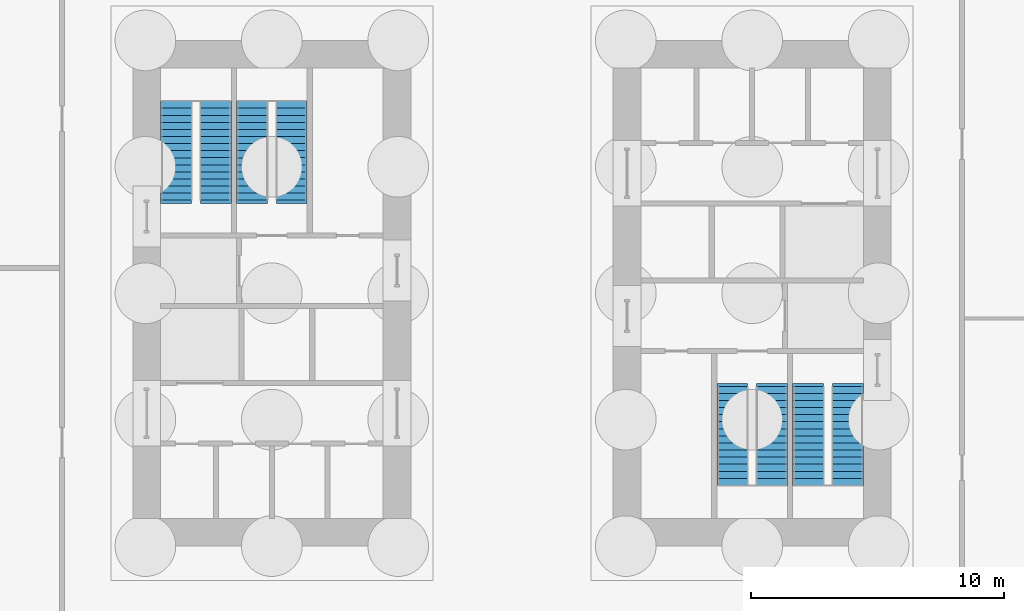
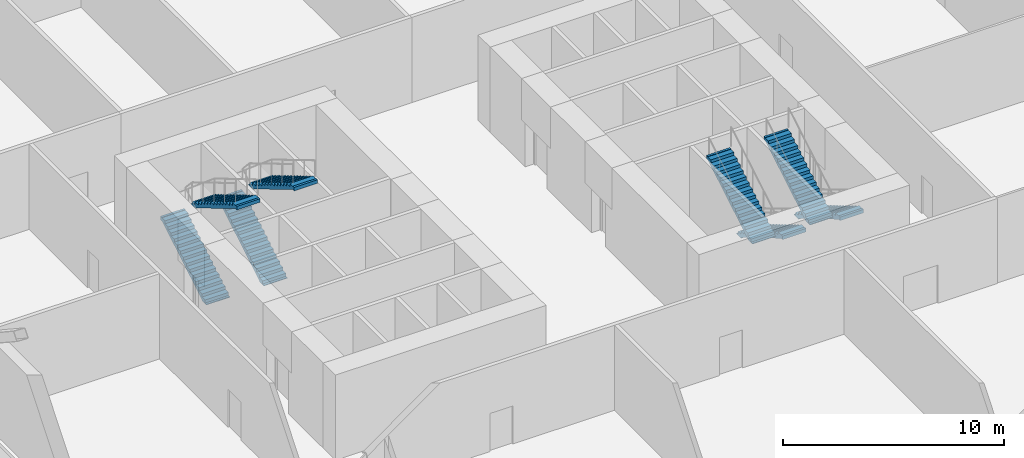
# One storey, part 6 of 7: 8 stair flights, 4 elements without a shape of their own.
"""IFC4 building model written with IfcOpenShell, lengths in metres."""

from ifc_helpers import new_model, si_unit, direction, frame, origin, place, context, subcontext, project, spatial, polyline, outline, extrude, material, type_object, element, aggregate, save


model = new_model("IFC4")

# Units and contexts
model_context = context("Model", 3, precision=1e-05, world=origin(), true_north=direction((0.0, 1.0)))
body_context = subcontext(model_context, "Body", "Model", "MODEL_VIEW")
ifc_project = project(units=[si_unit("LENGTHUNIT", "METRE"), si_unit("AREAUNIT", "SQUARE_METRE"), si_unit("VOLUMEUNIT", "CUBIC_METRE"), si_unit("PLANEANGLEUNIT", "RADIAN"), si_unit("MASSUNIT", "GRAM", prefix="KILO")], contexts=[model_context])

# Site, building, storey
site_placement = place(None, origin())
site = spatial("IfcSite", under=ifc_project, at=site_placement, CompositionType="ELEMENT")
building_placement = place(site_placement, origin())
building = spatial("IfcBuilding", under=site, at=building_placement, Name="Millrace Tower", CompositionType="ELEMENT")
storey_placement = place(building_placement, frame((0.0, 0.0, -10.0)))
storey = spatial("IfcBuildingStorey", under=building, at=storey_placement, Name="B2", CompositionType="ELEMENT", Elevation=-10.0)

# Stair, stair flights
ifc_material_1 = material(Name="Concrete C35", Category="concrete")
stair_type = type_object("IfcStairType", Name="Exit stair", PredefinedType="HALF_TURN_STAIR", material=ifc_material_1)
placement = place(storey_placement, origin())
stair_1 = element("IfcStair", 1, at=placement, inside=storey, type_object=stair_type, Name="Stair 1 W B2", PredefinedType="HALF_TURN_STAIR")
ifc_material_2 = material(Name="Concrete C35", Category="concrete")
stair_flight_type = type_object("IfcStairFlightType", Name="Exit stair flight", PredefinedType="STRAIGHT", material=ifc_material_2)
stair_flight_1_placement = place(storey_placement, frame((-13.2900390625, 3.679931640625, 0.0), z_axis=(0.0, 0.0, 1.0), x_axis=(0.0, 1.0, 0.0)))
stair_flight_1 = element("IfcStairFlight", 2, at=stair_flight_1_placement, type_object=stair_flight_type, Name="ST12 flight 1", NumberOfRisers=15, NumberOfTreads=14, PredefinedType="STRAIGHT", RiserHeight=0.166666667, TreadLength=0.28, context=body_context, shape_type="SweptSolid", body=[
    extrude(outline(polyline([(-0.1201171875, -0.0400390625), (-0.1201171875, 0.0), (0.0, 0.0), (0.0, 0.166748046875), (0.280029296875, 0.166748046875), (0.280029296875, 0.333251953125), (0.56005859375, 0.333251953125), (0.56005859375, 0.5), (0.840087890625, 0.5), (0.840087890625, 0.666748046875), (1.1201171875, 0.666748046875), (1.1201171875, 0.833251953125), (1.39990234375, 0.833251953125), (1.39990234375, 1.0), (1.679931640625, 1.0), (1.679931640625, 1.166748046875), (1.9599609375, 1.166748046875), (1.9599609375, 1.333251953125), (2.239990234375, 1.333251953125), (2.239990234375, 1.5), (2.52001953125, 1.5), (2.52001953125, 1.666748046875), (2.800048828125, 1.666748046875), (2.800048828125, 1.833251953125), (3.080078125, 1.833251953125), (3.080078125, 2.0), (3.360107421875, 2.0), (3.360107421875, 2.166748046875), (3.639892578125, 2.166748046875), (3.639892578125, 2.333251953125), (3.919921875, 2.333251953125), (3.919921875, 2.353271484375), (4.0400390625, 2.353271484375), (4.0400390625, 2.158935546875), (3.919921875, 2.158935546875), (0.29296875, 0.0), (0.29296875, -0.0400390625), (-0.1201171875, -0.0400390625)])), frame((0.0, 0.60986328125, 0.0), z_axis=(0.0, -1.0, 0.0), x_axis=(1.0, 0.0, 0.0)), (0.0, 0.0, 1.0), 1.219970703125),
])
stair_flight_2_placement = place(storey_placement, frame((-11.7099609375, 7.60009765625, 2.5), z_axis=(0.0, 0.0, 1.0), x_axis=(0.0, -1.0, 0.0)))
stair_flight_2 = element("IfcStairFlight", 3, at=stair_flight_2_placement, type_object=stair_flight_type, Name="ST12 flight 2", NumberOfRisers=15, NumberOfTreads=14, PredefinedType="STRAIGHT", RiserHeight=0.166666667, TreadLength=0.28, context=body_context, shape_type="SweptSolid", body=[
    extrude(outline(polyline([(-0.1201171875, -0.0400390625), (-0.1201171875, 0.0), (0.0, 0.0), (0.0, 0.166748046875), (0.280029296875, 0.166748046875), (0.280029296875, 0.333251953125), (0.56005859375, 0.333251953125), (0.56005859375, 0.5), (0.840087890625, 0.5), (0.840087890625, 0.666748046875), (1.1201171875, 0.666748046875), (1.1201171875, 0.833251953125), (1.39990234375, 0.833251953125), (1.39990234375, 1.0), (1.679931640625, 1.0), (1.679931640625, 1.166748046875), (1.9599609375, 1.166748046875), (1.9599609375, 1.333251953125), (2.239990234375, 1.333251953125), (2.239990234375, 1.5), (2.52001953125, 1.5), (2.52001953125, 1.666748046875), (2.800048828125, 1.666748046875), (2.800048828125, 1.833251953125), (3.080078125, 1.833251953125), (3.080078125, 2.0), (3.360107421875, 2.0), (3.360107421875, 2.166748046875), (3.639892578125, 2.166748046875), (3.639892578125, 2.333251953125), (3.919921875, 2.333251953125), (3.919921875, 2.353271484375), (4.0400390625, 2.353271484375), (4.0400390625, 2.158935546875), (3.919921875, 2.158935546875), (0.29296875, 0.0), (0.29296875, -0.0400390625), (-0.1201171875, -0.0400390625)])), frame((0.0, 0.60986328125, 0.0), z_axis=(0.0, -1.0, 0.0), x_axis=(1.0, 0.0, 0.0)), (0.0, 0.0, 1.0), 1.219970703125),
])
aggregate(stair_1, [stair_flight_1, stair_flight_2])

stair_2 = element("IfcStair", 4, at=placement, inside=storey, type_object=stair_type, Name="Stair 2 W B2", PredefinedType="HALF_TURN_STAIR")
stair_flight_3_placement = place(storey_placement, frame((-10.2900390625, 3.679931640625, 0.0), z_axis=(0.0, 0.0, 1.0), x_axis=(0.0, 1.0, 0.0)))
stair_flight_3 = element("IfcStairFlight", 5, at=stair_flight_3_placement, type_object=stair_flight_type, Name="ST12 flight 1", NumberOfRisers=15, NumberOfTreads=14, PredefinedType="STRAIGHT", RiserHeight=0.166666667, TreadLength=0.28, context=body_context, shape_type="SweptSolid", body=[
    extrude(outline(polyline([(-0.1201171875, -0.0400390625), (-0.1201171875, 0.0), (0.0, 0.0), (0.0, 0.166748046875), (0.280029296875, 0.166748046875), (0.280029296875, 0.333251953125), (0.56005859375, 0.333251953125), (0.56005859375, 0.5), (0.840087890625, 0.5), (0.840087890625, 0.666748046875), (1.1201171875, 0.666748046875), (1.1201171875, 0.833251953125), (1.39990234375, 0.833251953125), (1.39990234375, 1.0), (1.679931640625, 1.0), (1.679931640625, 1.166748046875), (1.9599609375, 1.166748046875), (1.9599609375, 1.333251953125), (2.239990234375, 1.333251953125), (2.239990234375, 1.5), (2.52001953125, 1.5), (2.52001953125, 1.666748046875), (2.800048828125, 1.666748046875), (2.800048828125, 1.833251953125), (3.080078125, 1.833251953125), (3.080078125, 2.0), (3.360107421875, 2.0), (3.360107421875, 2.166748046875), (3.639892578125, 2.166748046875), (3.639892578125, 2.333251953125), (3.919921875, 2.333251953125), (3.919921875, 2.353271484375), (4.0400390625, 2.353271484375), (4.0400390625, 2.158935546875), (3.919921875, 2.158935546875), (0.29296875, 0.0), (0.29296875, -0.0400390625), (-0.1201171875, -0.0400390625)])), frame((0.0, 0.60986328125, 0.0), z_axis=(0.0, -1.0, 0.0), x_axis=(1.0, 0.0, 0.0)), (0.0, 0.0, 1.0), 1.219970703125),
])
stair_flight_4_placement = place(storey_placement, frame((-8.7099609375, 7.60009765625, 2.5), z_axis=(0.0, 0.0, 1.0), x_axis=(0.0, -1.0, 0.0)))
stair_flight_4 = element("IfcStairFlight", 6, at=stair_flight_4_placement, type_object=stair_flight_type, Name="ST12 flight 2", NumberOfRisers=15, NumberOfTreads=14, PredefinedType="STRAIGHT", RiserHeight=0.166666667, TreadLength=0.28, context=body_context, shape_type="SweptSolid", body=[
    extrude(outline(polyline([(-0.1201171875, -0.0400390625), (-0.1201171875, 0.0), (0.0, 0.0), (0.0, 0.166748046875), (0.280029296875, 0.166748046875), (0.280029296875, 0.333251953125), (0.56005859375, 0.333251953125), (0.56005859375, 0.5), (0.840087890625, 0.5), (0.840087890625, 0.666748046875), (1.1201171875, 0.666748046875), (1.1201171875, 0.833251953125), (1.39990234375, 0.833251953125), (1.39990234375, 1.0), (1.679931640625, 1.0), (1.679931640625, 1.166748046875), (1.9599609375, 1.166748046875), (1.9599609375, 1.333251953125), (2.239990234375, 1.333251953125), (2.239990234375, 1.5), (2.52001953125, 1.5), (2.52001953125, 1.666748046875), (2.800048828125, 1.666748046875), (2.800048828125, 1.833251953125), (3.080078125, 1.833251953125), (3.080078125, 2.0), (3.360107421875, 2.0), (3.360107421875, 2.166748046875), (3.639892578125, 2.166748046875), (3.639892578125, 2.333251953125), (3.919921875, 2.333251953125), (3.919921875, 2.353271484375), (4.0400390625, 2.353271484375), (4.0400390625, 2.158935546875), (3.919921875, 2.158935546875), (0.29296875, 0.0), (0.29296875, -0.0400390625), (-0.1201171875, -0.0400390625)])), frame((0.0, 0.60986328125, 0.0), z_axis=(0.0, -1.0, 0.0), x_axis=(1.0, 0.0, 0.0)), (0.0, 0.0, 1.0), 1.219970703125),
])
aggregate(stair_2, [stair_flight_3, stair_flight_4])

stair_3 = element("IfcStair", 7, at=placement, inside=storey, type_object=stair_type, Name="Stair 1 E B2", PredefinedType="HALF_TURN_STAIR")
stair_flight_5_placement = place(storey_placement, frame((13.2900390625, -3.679931640625, 0.0), z_axis=(0.0, 0.0, 1.0), x_axis=(0.0, -1.0, 0.0)))
stair_flight_5 = element("IfcStairFlight", 8, at=stair_flight_5_placement, type_object=stair_flight_type, Name="ST12 flight 1", NumberOfRisers=15, NumberOfTreads=14, PredefinedType="STRAIGHT", RiserHeight=0.166666667, TreadLength=0.28, context=body_context, shape_type="SweptSolid", body=[
    extrude(outline(polyline([(-0.1201171875, -0.0400390625), (-0.1201171875, 0.0), (0.0, 0.0), (0.0, 0.166748046875), (0.280029296875, 0.166748046875), (0.280029296875, 0.333251953125), (0.56005859375, 0.333251953125), (0.56005859375, 0.5), (0.840087890625, 0.5), (0.840087890625, 0.666748046875), (1.1201171875, 0.666748046875), (1.1201171875, 0.833251953125), (1.39990234375, 0.833251953125), (1.39990234375, 1.0), (1.679931640625, 1.0), (1.679931640625, 1.166748046875), (1.9599609375, 1.166748046875), (1.9599609375, 1.333251953125), (2.239990234375, 1.333251953125), (2.239990234375, 1.5), (2.52001953125, 1.5), (2.52001953125, 1.666748046875), (2.800048828125, 1.666748046875), (2.800048828125, 1.833251953125), (3.080078125, 1.833251953125), (3.080078125, 2.0), (3.360107421875, 2.0), (3.360107421875, 2.166748046875), (3.639892578125, 2.166748046875), (3.639892578125, 2.333251953125), (3.919921875, 2.333251953125), (3.919921875, 2.353271484375), (4.0400390625, 2.353271484375), (4.0400390625, 2.158935546875), (3.919921875, 2.158935546875), (0.29296875, 0.0), (0.29296875, -0.0400390625), (-0.1201171875, -0.0400390625)])), frame((0.0, 0.60986328125, 0.0), z_axis=(0.0, -1.0, 0.0), x_axis=(1.0, 0.0, 0.0)), (0.0, 0.0, 1.0), 1.219970703125),
])
stair_flight_6_placement = place(storey_placement, frame((11.7099609375, -7.60009765625, 2.5), z_axis=(0.0, 0.0, 1.0), x_axis=(0.0, 1.0, 0.0)))
stair_flight_6 = element("IfcStairFlight", 9, at=stair_flight_6_placement, type_object=stair_flight_type, Name="ST12 flight 2", NumberOfRisers=15, NumberOfTreads=14, PredefinedType="STRAIGHT", RiserHeight=0.166666667, TreadLength=0.28, context=body_context, shape_type="SweptSolid", body=[
    extrude(outline(polyline([(-0.1201171875, -0.0400390625), (-0.1201171875, 0.0), (0.0, 0.0), (0.0, 0.166748046875), (0.280029296875, 0.166748046875), (0.280029296875, 0.333251953125), (0.56005859375, 0.333251953125), (0.56005859375, 0.5), (0.840087890625, 0.5), (0.840087890625, 0.666748046875), (1.1201171875, 0.666748046875), (1.1201171875, 0.833251953125), (1.39990234375, 0.833251953125), (1.39990234375, 1.0), (1.679931640625, 1.0), (1.679931640625, 1.166748046875), (1.9599609375, 1.166748046875), (1.9599609375, 1.333251953125), (2.239990234375, 1.333251953125), (2.239990234375, 1.5), (2.52001953125, 1.5), (2.52001953125, 1.666748046875), (2.800048828125, 1.666748046875), (2.800048828125, 1.833251953125), (3.080078125, 1.833251953125), (3.080078125, 2.0), (3.360107421875, 2.0), (3.360107421875, 2.166748046875), (3.639892578125, 2.166748046875), (3.639892578125, 2.333251953125), (3.919921875, 2.333251953125), (3.919921875, 2.353271484375), (4.0400390625, 2.353271484375), (4.0400390625, 2.158935546875), (3.919921875, 2.158935546875), (0.29296875, 0.0), (0.29296875, -0.0400390625), (-0.1201171875, -0.0400390625)])), frame((0.0, 0.60986328125, 0.0), z_axis=(0.0, -1.0, 0.0), x_axis=(1.0, 0.0, 0.0)), (0.0, 0.0, 1.0), 1.219970703125),
])
aggregate(stair_3, [stair_flight_5, stair_flight_6])

stair_4 = element("IfcStair", 10, at=placement, inside=storey, type_object=stair_type, Name="Stair 2 E B2", PredefinedType="HALF_TURN_STAIR")
stair_flight_7_placement = place(storey_placement, frame((10.2900390625, -3.679931640625, 0.0), z_axis=(0.0, 0.0, 1.0), x_axis=(0.0, -1.0, 0.0)))
stair_flight_7 = element("IfcStairFlight", 11, at=stair_flight_7_placement, type_object=stair_flight_type, Name="ST12 flight 1", NumberOfRisers=15, NumberOfTreads=14, PredefinedType="STRAIGHT", RiserHeight=0.166666667, TreadLength=0.28, context=body_context, shape_type="SweptSolid", body=[
    extrude(outline(polyline([(-0.1201171875, -0.0400390625), (-0.1201171875, 0.0), (0.0, 0.0), (0.0, 0.166748046875), (0.280029296875, 0.166748046875), (0.280029296875, 0.333251953125), (0.56005859375, 0.333251953125), (0.56005859375, 0.5), (0.840087890625, 0.5), (0.840087890625, 0.666748046875), (1.1201171875, 0.666748046875), (1.1201171875, 0.833251953125), (1.39990234375, 0.833251953125), (1.39990234375, 1.0), (1.679931640625, 1.0), (1.679931640625, 1.166748046875), (1.9599609375, 1.166748046875), (1.9599609375, 1.333251953125), (2.239990234375, 1.333251953125), (2.239990234375, 1.5), (2.52001953125, 1.5), (2.52001953125, 1.666748046875), (2.800048828125, 1.666748046875), (2.800048828125, 1.833251953125), (3.080078125, 1.833251953125), (3.080078125, 2.0), (3.360107421875, 2.0), (3.360107421875, 2.166748046875), (3.639892578125, 2.166748046875), (3.639892578125, 2.333251953125), (3.919921875, 2.333251953125), (3.919921875, 2.353271484375), (4.0400390625, 2.353271484375), (4.0400390625, 2.158935546875), (3.919921875, 2.158935546875), (0.29296875, 0.0), (0.29296875, -0.0400390625), (-0.1201171875, -0.0400390625)])), frame((0.0, 0.60986328125, 0.0), z_axis=(0.0, -1.0, 0.0), x_axis=(1.0, 0.0, 0.0)), (0.0, 0.0, 1.0), 1.219970703125),
])
stair_flight_8_placement = place(storey_placement, frame((8.7099609375, -7.60009765625, 2.5), z_axis=(0.0, 0.0, 1.0), x_axis=(0.0, 1.0, 0.0)))
stair_flight_8 = element("IfcStairFlight", 12, at=stair_flight_8_placement, type_object=stair_flight_type, Name="ST12 flight 2", NumberOfRisers=15, NumberOfTreads=14, PredefinedType="STRAIGHT", RiserHeight=0.166666667, TreadLength=0.28, context=body_context, shape_type="SweptSolid", body=[
    extrude(outline(polyline([(-0.1201171875, -0.0400390625), (-0.1201171875, 0.0), (0.0, 0.0), (0.0, 0.166748046875), (0.280029296875, 0.166748046875), (0.280029296875, 0.333251953125), (0.56005859375, 0.333251953125), (0.56005859375, 0.5), (0.840087890625, 0.5), (0.840087890625, 0.666748046875), (1.1201171875, 0.666748046875), (1.1201171875, 0.833251953125), (1.39990234375, 0.833251953125), (1.39990234375, 1.0), (1.679931640625, 1.0), (1.679931640625, 1.166748046875), (1.9599609375, 1.166748046875), (1.9599609375, 1.333251953125), (2.239990234375, 1.333251953125), (2.239990234375, 1.5), (2.52001953125, 1.5), (2.52001953125, 1.666748046875), (2.800048828125, 1.666748046875), (2.800048828125, 1.833251953125), (3.080078125, 1.833251953125), (3.080078125, 2.0), (3.360107421875, 2.0), (3.360107421875, 2.166748046875), (3.639892578125, 2.166748046875), (3.639892578125, 2.333251953125), (3.919921875, 2.333251953125), (3.919921875, 2.353271484375), (4.0400390625, 2.353271484375), (4.0400390625, 2.158935546875), (3.919921875, 2.158935546875), (0.29296875, 0.0), (0.29296875, -0.0400390625), (-0.1201171875, -0.0400390625)])), frame((0.0, 0.60986328125, 0.0), z_axis=(0.0, -1.0, 0.0), x_axis=(1.0, 0.0, 0.0)), (0.0, 0.0, 1.0), 1.219970703125),
])
aggregate(stair_4, [stair_flight_7, stair_flight_8])

save(model, "model.ifc")
